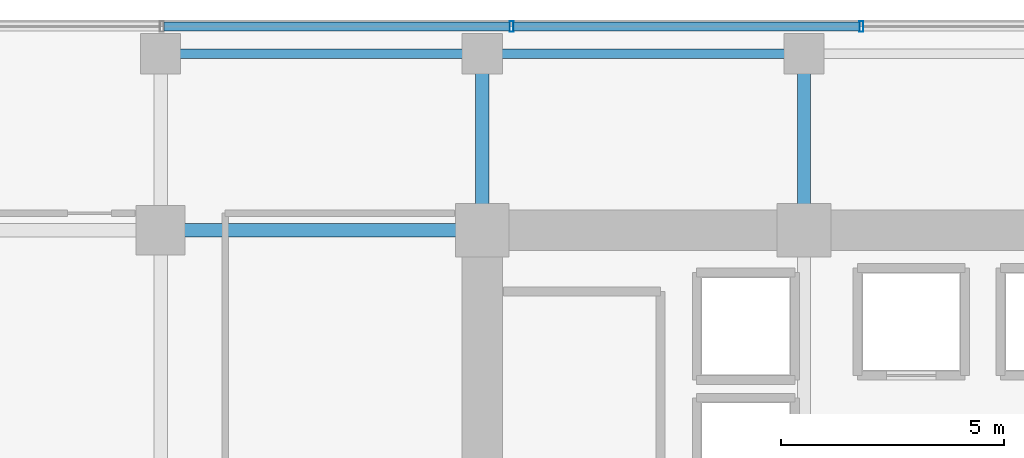
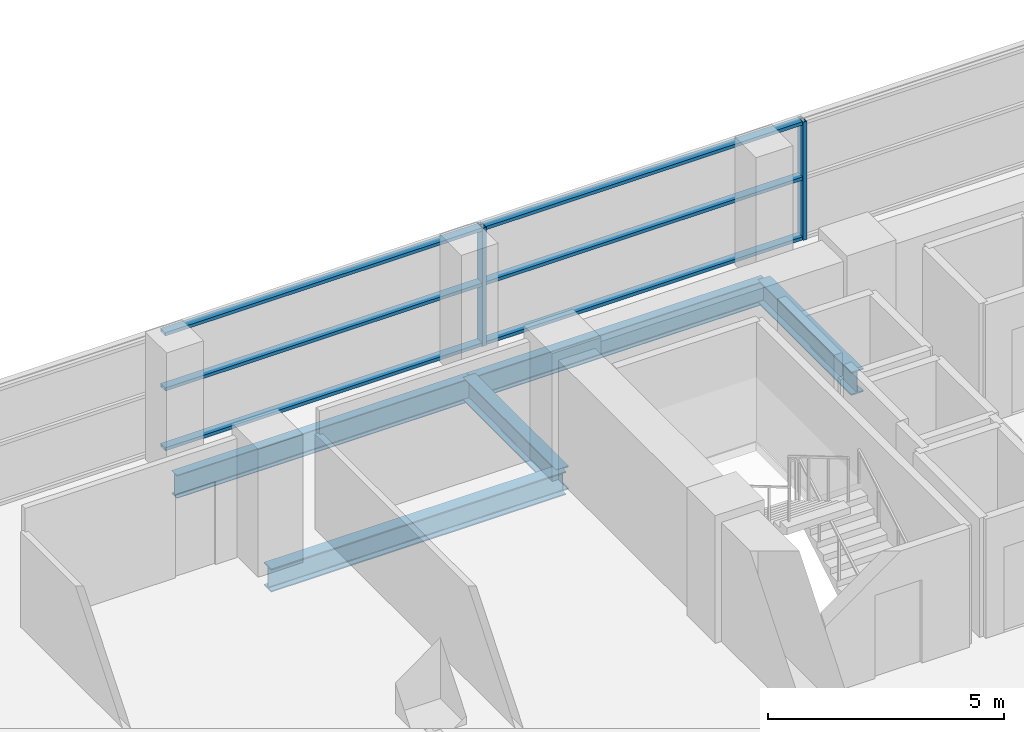
# One storey, part 18 of 30: 8 members, 5 beams, 1 element without a shape of its own.
"""IFC4 building model written with IfcOpenShell, lengths in metres."""

from ifc_helpers import new_model, si_unit, direction, frame, origin, origin_2d, place, context, subcontext, project, spatial, hollow_rectangle, i_section, extrude, source, transform, mapped, material, layer, layer_set, material_profile, profile_set, type_object, element, aggregate, save


model = new_model("IFC4")

# Units and contexts
model_context = context("Model", 3, precision=1e-05, world=origin(), true_north=direction((0.0, 1.0)))
body_context = subcontext(model_context, "Body", "Model", "MODEL_VIEW")
ifc_project = project(units=[si_unit("LENGTHUNIT", "METRE"), si_unit("AREAUNIT", "SQUARE_METRE"), si_unit("VOLUMEUNIT", "CUBIC_METRE"), si_unit("PLANEANGLEUNIT", "RADIAN"), si_unit("MASSUNIT", "GRAM", prefix="KILO")], contexts=[model_context])

# Site, building, storey
site_placement = place(None, origin())
site = spatial("IfcSite", under=ifc_project, at=site_placement, CompositionType="ELEMENT")
building_placement = place(site_placement, origin())
building = spatial("IfcBuilding", under=site, at=building_placement, Name="Zarnakvel Exchange Tower", CompositionType="ELEMENT")
storey_placement = place(building_placement, frame((0.0, 0.0, 40.60009765625)))
storey = spatial("IfcBuildingStorey", under=building, at=storey_placement, Name="L10", CompositionType="ELEMENT", Elevation=40.60009765625)

# Beams
ifc_material_1 = material(Name="Steel S355", Category="steel")
ifc_material_profile_1 = material_profile(ifc_material_1, i_section(OverallWidth=0.300048828125, OverallDepth=0.60009765625, WebThickness=0.015380859375, FlangeThickness=0.030029296875, FilletRadius=0.027099609375, at=origin_2d()))
ifc_profile_set_1 = profile_set([ifc_material_profile_1], Name="Steel S355")
beam_type_1 = type_object("IfcBeamType", Name="G-04", PredefinedType="BEAM", material=ifc_profile_set_1)
beam_1_placement = place(storey_placement, frame((-21.60009765625, 13.5, -0.525146484375), z_axis=(1.0, 0.0, 0.0), x_axis=(0.0, 1.0, 0.0)))
element("IfcBeam", 1, at=beam_1_placement, inside=storey, type_object=beam_type_1, Name="L10 Tower E-W Frame Beam", PredefinedType="BEAM", context=body_context, shape_type="SweptSolid", body=[
    extrude(i_section(OverallWidth=0.300048828125, OverallDepth=0.60009765625, WebThickness=0.015380859375, FlangeThickness=0.030029296875, FilletRadius=0.027099609375, at=origin_2d()), origin(), (0.0, 0.0, 1.0), 7.2001953125),
])
for number, where, z_axis, x_axis, name in (
    (2, (-14.39990234375, 13.5, -0.525146484375), (0.0, 1.0, 0.0), (-1.0, 0.0, 0.0), "L10 Tower N-S Frame Beam"),
    (3, (-7.199951171875, 13.5, -0.525146484375), (0.0, 1.0, 0.0), (-1.0, 0.0, 0.0), "L10 Tower N-S Frame Beam"),
):
    element("IfcBeam", number, at=place(storey_placement, frame(where, z_axis=z_axis, x_axis=x_axis)), inside=storey, type_object=beam_type_1, Name=name, PredefinedType="BEAM", context=body_context, shape_type="SweptSolid", body=[
        extrude(i_section(OverallWidth=0.300048828125, OverallDepth=0.60009765625, WebThickness=0.015380859375, FlangeThickness=0.030029296875, FilletRadius=0.027099609375, at=origin_2d()), origin(), (0.0, 0.0, 1.0), 3.949951171875),
    ])
ifc_material_profile_2 = material_profile(ifc_material_1, i_section(OverallWidth=0.219970703125, OverallDepth=0.60009765625, WebThickness=0.011962890625, FlangeThickness=0.01904296875, FilletRadius=0.02392578125, at=origin_2d()))
ifc_profile_set_2 = profile_set([ifc_material_profile_2], Name="Steel S355")
beam_type_2 = type_object("IfcBeamType", Name="SP-01", PredefinedType="SPANDREL", material=ifc_profile_set_2)
beam_2_placement = place(storey_placement, frame((-21.60009765625, 17.449951171875, -0.525146484375), z_axis=(1.0, 0.0, 0.0), x_axis=(0.0, 1.0, 0.0)))
element("IfcBeam", 4, at=beam_2_placement, inside=storey, type_object=beam_type_2, Name="L10 Tower E-W Frame Beam", PredefinedType="SPANDREL", context=body_context, shape_type="SweptSolid", body=[
    extrude(i_section(OverallWidth=0.219970703125, OverallDepth=0.60009765625, WebThickness=0.011962890625, FlangeThickness=0.01904296875, FilletRadius=0.02392578125, at=origin_2d()), origin(), (0.0, 0.0, 1.0), 7.2001953125),
])
beam_3_placement = place(storey_placement, frame((-14.39990234375, 17.449951171875, -0.525146484375), z_axis=(1.0, 0.0, 0.0), x_axis=(0.0, 1.0, 0.0)))
element("IfcBeam", 5, at=beam_3_placement, inside=storey, type_object=beam_type_2, Name="L10 Tower E-W Frame Beam", PredefinedType="SPANDREL", context=body_context, shape_type="SweptSolid", body=[
    extrude(i_section(OverallWidth=0.219970703125, OverallDepth=0.60009765625, WebThickness=0.011962890625, FlangeThickness=0.01904296875, FilletRadius=0.02392578125, at=origin_2d()), origin(), (0.0, 0.0, 1.0), 7.199951171875),
])

# Curtain wall, members
ifc_material_2 = material(Name="Architectural Bronze Anodised Aluminium", Category="aluminium")
ifc_layer = layer(ifc_material_2, 0.239990234375)
ifc_layer_set = layer_set([ifc_layer], Name="Architectural Bronze Anodised Aluminium")
curtain_wall_type = type_object("IfcCurtainWallType", Name="CW-02", PredefinedType="NOTDEFINED", material=ifc_layer_set)
curtain_wall_placement = place(storey_placement, origin())
curtain_wall = element("IfcCurtainWall", 6, at=curtain_wall_placement, inside=storey, type_object=curtain_wall_type, Name="L10 Curtain Wall CW-L10-N1 (CW-02)", PredefinedType="NOTDEFINED")
ifc_material_profile_3 = material_profile(ifc_material_2, hollow_rectangle(XDim=0.199951171875, YDim=0.0849609375, WallThickness=0.0048828125, at=origin_2d()))
ifc_profile_set_3 = profile_set([ifc_material_profile_3], Name="Architectural Bronze Anodised Aluminium")
member_type_1 = type_object("IfcMemberType", Name="CWT-02", PredefinedType="USERDEFINED", material=ifc_profile_set_3)
shared_shape_1 = source(origin(), body_context, "Body", "SweptSolid", [
    extrude(hollow_rectangle(XDim=0.199951171875, YDim=0.0849609375, WallThickness=0.0048828125, at=origin_2d()), origin(), (0.0, 0.0, 1.0), 7.738525390625),
])
member_1_placement = place(storey_placement, frame((-21.5263671875, 18.06005859375, 0.04248046875), z_axis=(1.0, 0.0, 0.0), x_axis=(0.0, 1.0, 0.0)))
member_1 = element("IfcMember", 7, at=member_1_placement, type_object=member_type_1, Name="CW-02 transom 2.1", ObjectType="TRANSOM", PredefinedType="USERDEFINED", context=body_context, shape_type="MappedRepresentation", body=[
    mapped(shared_shape_1, transform((0.0, 0.0, 0.0), x_axis=(1.0, 0.0, 0.0), y_axis=(0.0, 1.0, 0.0), z_axis=(0.0, 0.0, 1.0), scale=1.0)),
])
member_2_placement = place(storey_placement, frame((-21.5263671875, 18.06005859375, 1.588623046875), z_axis=(1.0, 0.0, 0.0), x_axis=(0.0, 1.0, 0.0)))
member_2 = element("IfcMember", 8, at=member_2_placement, type_object=member_type_1, Name="CW-02 transom 2.2", ObjectType="TRANSOM", PredefinedType="USERDEFINED", context=body_context, shape_type="MappedRepresentation", body=[
    mapped(shared_shape_1, transform((0.0, 0.0, 0.0), x_axis=(1.0, 0.0, 0.0), y_axis=(0.0, 1.0, 0.0), z_axis=(0.0, 0.0, 1.0), scale=1.0)),
])
member_3_placement = place(storey_placement, frame((-21.5263671875, 18.06005859375, 3.012451171875), z_axis=(1.0, 0.0, 0.0), x_axis=(0.0, 1.0, 0.0)))
member_3 = element("IfcMember", 9, at=member_3_placement, type_object=member_type_1, Name="CW-02 transom 2.3", ObjectType="TRANSOM", PredefinedType="USERDEFINED", context=body_context, shape_type="MappedRepresentation", body=[
    mapped(shared_shape_1, transform((0.0, 0.0, 0.0), x_axis=(1.0, 0.0, 0.0), y_axis=(0.0, 1.0, 0.0), z_axis=(0.0, 0.0, 1.0), scale=1.0)),
])
member_4_placement = place(storey_placement, frame((-13.69775390625, 18.06005859375, 0.04248046875), z_axis=(1.0, 0.0, 0.0), x_axis=(0.0, 1.0, 0.0)))
member_4 = element("IfcMember", 10, at=member_4_placement, type_object=member_type_1, Name="CW-02 transom 3.1", ObjectType="TRANSOM", PredefinedType="USERDEFINED", context=body_context, shape_type="MappedRepresentation", body=[
    mapped(shared_shape_1, transform((0.0, 0.0, 0.0), x_axis=(1.0, 0.0, 0.0), y_axis=(0.0, 1.0, 0.0), z_axis=(0.0, 0.0, 1.0), scale=1.0)),
])
member_5_placement = place(storey_placement, frame((-13.69775390625, 18.06005859375, 1.588623046875), z_axis=(1.0, 0.0, 0.0), x_axis=(0.0, 1.0, 0.0)))
member_5 = element("IfcMember", 11, at=member_5_placement, type_object=member_type_1, Name="CW-02 transom 3.2", ObjectType="TRANSOM", PredefinedType="USERDEFINED", context=body_context, shape_type="MappedRepresentation", body=[
    mapped(shared_shape_1, transform((0.0, 0.0, 0.0), x_axis=(1.0, 0.0, 0.0), y_axis=(0.0, 1.0, 0.0), z_axis=(0.0, 0.0, 1.0), scale=1.0)),
])
member_6_placement = place(storey_placement, frame((-13.69775390625, 18.06005859375, 3.012451171875), z_axis=(1.0, 0.0, 0.0), x_axis=(0.0, 1.0, 0.0)))
member_6 = element("IfcMember", 12, at=member_6_placement, type_object=member_type_1, Name="CW-02 transom 3.3", ObjectType="TRANSOM", PredefinedType="USERDEFINED", context=body_context, shape_type="MappedRepresentation", body=[
    mapped(shared_shape_1, transform((0.0, 0.0, 0.0), x_axis=(1.0, 0.0, 0.0), y_axis=(0.0, 1.0, 0.0), z_axis=(0.0, 0.0, 1.0), scale=1.0)),
])
ifc_material_profile_4 = material_profile(ifc_material_2, hollow_rectangle(XDim=0.239990234375, YDim=0.090087890625, WallThickness=0.006103515625, at=origin_2d()))
ifc_profile_set_4 = profile_set([ifc_material_profile_4], Name="Architectural Bronze Anodised Aluminium")
member_type_2 = type_object("IfcMemberType", Name="CWM-02", PredefinedType="MULLION", material=ifc_profile_set_4)
shared_shape_2 = source(origin(), body_context, "Body", "SweptSolid", [
    extrude(hollow_rectangle(XDim=0.239990234375, YDim=0.090087890625, WallThickness=0.006103515625, at=origin_2d()), origin(), (0.0, 0.0, 1.0), 3.054931640625),
])
member_7_placement = place(storey_placement, frame((-13.742919921875, 18.06005859375, 0.0), z_axis=(0.0, 0.0, 1.0), x_axis=(0.0, 1.0, 0.0)))
member_7 = element("IfcMember", 13, at=member_7_placement, type_object=member_type_2, Name="CW-02 mullion 3", PredefinedType="MULLION", context=body_context, shape_type="MappedRepresentation", body=[
    mapped(shared_shape_2, transform((0.0, 0.0, 0.0), x_axis=(1.0, 0.0, 0.0), y_axis=(0.0, 1.0, 0.0), z_axis=(0.0, 0.0, 1.0), scale=1.0)),
])
member_8_placement = place(storey_placement, frame((-5.914306640625, 18.06005859375, 0.0), z_axis=(0.0, 0.0, 1.0), x_axis=(0.0, 1.0, 0.0)))
member_8 = element("IfcMember", 14, at=member_8_placement, type_object=member_type_2, Name="CW-02 mullion 4", PredefinedType="MULLION", context=body_context, shape_type="MappedRepresentation", body=[
    mapped(shared_shape_2, transform((0.0, 0.0, 0.0), x_axis=(1.0, 0.0, 0.0), y_axis=(0.0, 1.0, 0.0), z_axis=(0.0, 0.0, 1.0), scale=1.0)),
])
aggregate(curtain_wall, [member_7, member_8, member_1, member_2, member_3, member_4, member_5, member_6])

save(model, "model.ifc")
